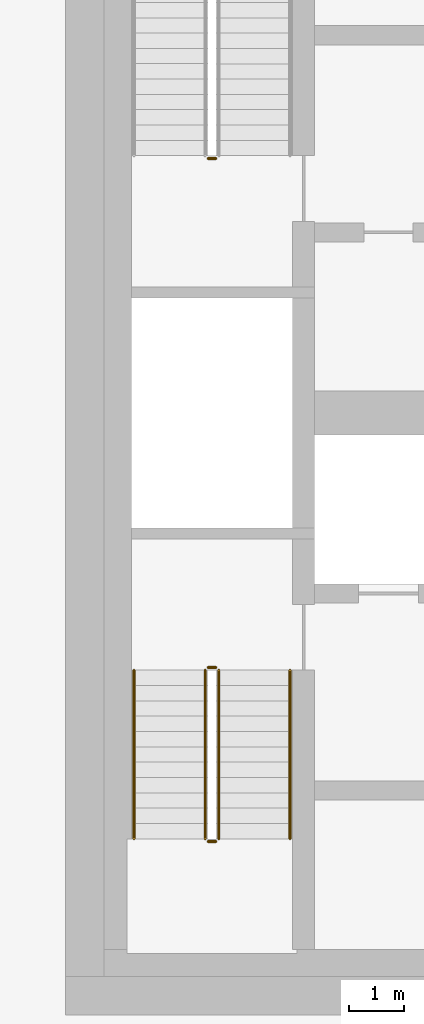
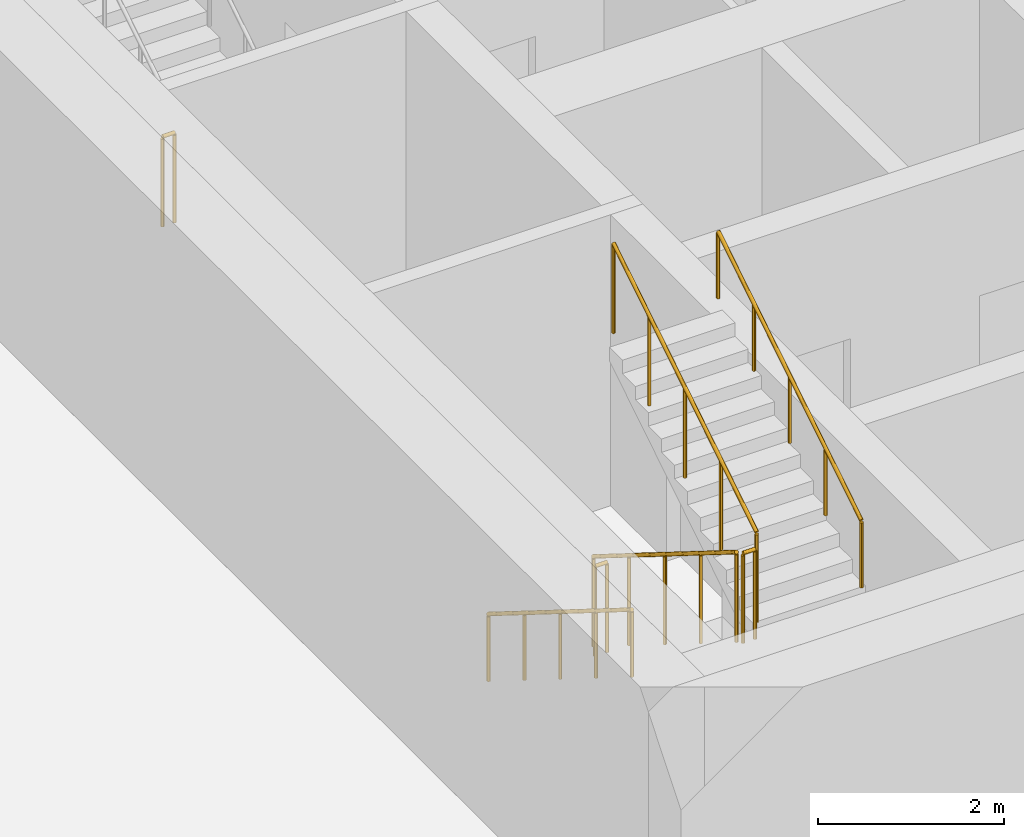
# One storey, part 16 of 21: 7 railings.
"""IFC4 building model written with IfcOpenShell, lengths in metres."""

from ifc_helpers import new_model, si_unit, direction, frame, origin, origin_2d, place, context, subcontext, project, spatial, circle, extrude, material, type_object, element, save


model = new_model("IFC4")

# Units and contexts
model_context = context("Model", 3, precision=1e-05, world=origin(), true_north=direction((0.0, 1.0)))
body_context = subcontext(model_context, "Body", "Model", "MODEL_VIEW")
ifc_project = project(units=[si_unit("LENGTHUNIT", "METRE"), si_unit("AREAUNIT", "SQUARE_METRE"), si_unit("VOLUMEUNIT", "CUBIC_METRE"), si_unit("PLANEANGLEUNIT", "RADIAN"), si_unit("MASSUNIT", "GRAM", prefix="KILO")], contexts=[model_context])

# Site, building, storey
site_placement = place(None, origin())
site = spatial("IfcSite", under=ifc_project, at=site_placement, CompositionType="ELEMENT")
building_placement = place(site_placement, origin())
building = spatial("IfcBuilding", under=site, at=building_placement, Name="Dongbaek Canopy Tower", CompositionType="ELEMENT")
storey_placement = place(building_placement, frame((0.0, 0.0, 270.60009765625)))
storey = spatial("IfcBuildingStorey", under=building, at=storey_placement, Name="L57", CompositionType="ELEMENT", Elevation=270.60009765625)

# Railings
ifc_material_1 = material(Name="Stainless steel tube and balusters", Category="steel")
railing_type_1 = type_object("IfcRailingType", Name="Stair guard 1200", PredefinedType="GUARDRAIL", material=ifc_material_1)
railing_1_placement = place(storey_placement, frame((-11.25, 4.64990234375, 0.0)))
element("IfcRailing", 1, at=railing_1_placement, inside=storey, type_object=railing_type_1, Name="L57 ST-C stair guard 4", PredefinedType="GUARDRAIL", context=body_context, shape_type="SweptSolid", body=[
    extrude(circle(Radius=0.02392578125, at=origin_2d()), frame((0.0, 0.0, 1.17578125), z_axis=(-1.0, 0.0, 0.0), x_axis=(0.0, -1.0, 0.0)), (0.0, 0.0, 1.0), 0.14990234375),
    extrude(circle(Radius=0.02099609375, at=origin_2d()), origin(), (0.0, 0.0, 1.0), 1.15185546875),
    extrude(circle(Radius=0.02099609375, at=origin_2d()), frame((-0.14990234375, 0.0, 0.0)), (0.0, 0.0, 1.0), 1.15185546875),
])
railing_2_placement = place(storey_placement, frame((-11.449951171875, -4.699951171875, 0.1748046875)))
element("IfcRailing", 2, at=railing_2_placement, inside=storey, type_object=railing_type_1, Name="L57 ST-D stair guard 1", PredefinedType="GUARDRAIL", context=body_context, shape_type="SweptSolid", body=[
    extrude(circle(Radius=0.02392578125, at=origin_2d()), frame((0.0, 0.0, 1.17578125), z_axis=(0.0, -0.847998304005, 0.529998940003), x_axis=(1.0, 0.0, 0.0)), (0.0, 0.0, 1.0), 3.632080078125),
    extrude(circle(Radius=0.02099609375, at=origin_2d()), origin(), (0.0, 0.0, 1.0), 1.15185546875),
    extrude(circle(Radius=0.02099609375, at=origin_2d()), frame((0.0, -0.77001953125, 0.481201171875)), (0.0, 0.0, 1.0), 1.15185546875),
    extrude(circle(Radius=0.02099609375, at=origin_2d()), frame((0.0, -1.5400390625, 0.96240234375)), (0.0, 0.0, 1.0), 1.15185546875),
    extrude(circle(Radius=0.02099609375, at=origin_2d()), frame((0.0, -2.31005859375, 1.44384765625)), (0.0, 0.0, 1.0), 1.15185546875),
    extrude(circle(Radius=0.02099609375, at=origin_2d()), frame((0.0, -3.080078125, 1.925048828125)), (0.0, 0.0, 1.0), 1.15185546875),
])
railing_3_placement = place(storey_placement, frame((-11.39990234375, -7.830078125, 2.099853515625)))
element("IfcRailing", 3, at=railing_3_placement, inside=storey, type_object=railing_type_1, Name="L57 ST-D stair guard 2", PredefinedType="GUARDRAIL", context=body_context, shape_type="SweptSolid", body=[
    extrude(circle(Radius=0.02392578125, at=origin_2d()), frame((0.0, 0.0, 1.17578125), z_axis=(1.0, 0.0, 0.0), x_axis=(0.0, 1.0, 0.0)), (0.0, 0.0, 1.0), 0.14990234375),
    extrude(circle(Radius=0.02099609375, at=origin_2d()), origin(), (0.0, 0.0, 1.0), 1.15185546875),
    extrude(circle(Radius=0.02099609375, at=origin_2d()), frame((0.14990234375, 0.0, 0.0)), (0.0, 0.0, 1.0), 1.15185546875),
])
railing_4_placement = place(storey_placement, frame((-11.199951171875, -7.780029296875, 2.27490234375)))
element("IfcRailing", 4, at=railing_4_placement, inside=storey, type_object=railing_type_1, Name="L57 ST-D stair guard 3", PredefinedType="GUARDRAIL", context=body_context, shape_type="SweptSolid", body=[
    extrude(circle(Radius=0.02392578125, at=origin_2d()), frame((0.0, 0.0, 1.17578125), z_axis=(0.0, 0.847998304005, 0.529998940003), x_axis=(-1.0, 0.0, 0.0)), (0.0, 0.0, 1.0), 3.632080078125),
    extrude(circle(Radius=0.02099609375, at=origin_2d()), origin(), (0.0, 0.0, 1.0), 1.15185546875),
    extrude(circle(Radius=0.02099609375, at=origin_2d()), frame((0.0, 0.77001953125, 0.481201171875)), (0.0, 0.0, 1.0), 1.15185546875),
    extrude(circle(Radius=0.02099609375, at=origin_2d()), frame((0.0, 1.5400390625, 0.96240234375)), (0.0, 0.0, 1.0), 1.15185546875),
    extrude(circle(Radius=0.02099609375, at=origin_2d()), frame((0.0, 2.31005859375, 1.44384765625)), (0.0, 0.0, 1.0), 1.15185546875),
    extrude(circle(Radius=0.02099609375, at=origin_2d()), frame((0.0, 3.080078125, 1.925048828125)), (0.0, 0.0, 1.0), 1.15185546875),
])
railing_5_placement = place(storey_placement, frame((-11.39990234375, -4.64990234375, 0.0)))
element("IfcRailing", 5, at=railing_5_placement, inside=storey, type_object=railing_type_1, Name="L57 ST-D stair guard 4", PredefinedType="GUARDRAIL", context=body_context, shape_type="SweptSolid", body=[
    extrude(circle(Radius=0.02392578125, at=origin_2d()), frame((0.0, 0.0, 1.17578125), z_axis=(1.0, 0.0, 0.0), x_axis=(0.0, 1.0, 0.0)), (0.0, 0.0, 1.0), 0.14990234375),
    extrude(circle(Radius=0.02099609375, at=origin_2d()), origin(), (0.0, 0.0, 1.0), 1.15185546875),
    extrude(circle(Radius=0.02099609375, at=origin_2d()), frame((0.14990234375, 0.0, 0.0)), (0.0, 0.0, 1.0), 1.15185546875),
])
ifc_material_2 = material(Name="Stainless steel tube", Category="steel")
railing_type_2 = type_object("IfcRailingType", Name="Stair handrail 900", PredefinedType="HANDRAIL", material=ifc_material_2)
railing_6_placement = place(storey_placement, frame((-12.75, -4.699951171875, 0.1748046875)))
element("IfcRailing", 6, at=railing_6_placement, inside=storey, type_object=railing_type_2, Name="L57 ST-D stair handrail 1", PredefinedType="HANDRAIL", context=body_context, shape_type="SweptSolid", body=[
    extrude(circle(Radius=0.02392578125, at=origin_2d()), frame((0.0, 0.0, 0.8759765625), z_axis=(0.0, -0.847998304005, 0.529998940003), x_axis=(1.0, 0.0, 0.0)), (0.0, 0.0, 1.0), 3.632080078125),
    extrude(circle(Radius=0.02099609375, at=origin_2d()), origin(), (0.0, 0.0, 1.0), 0.851806640625),
    extrude(circle(Radius=0.02099609375, at=origin_2d()), frame((0.0, -0.77001953125, 0.481201171875)), (0.0, 0.0, 1.0), 0.851806640625),
    extrude(circle(Radius=0.02099609375, at=origin_2d()), frame((0.0, -1.5400390625, 0.96240234375)), (0.0, 0.0, 1.0), 0.851806640625),
    extrude(circle(Radius=0.02099609375, at=origin_2d()), frame((0.0, -2.31005859375, 1.44384765625)), (0.0, 0.0, 1.0), 0.851806640625),
    extrude(circle(Radius=0.02099609375, at=origin_2d()), frame((0.0, -3.080078125, 1.925048828125)), (0.0, 0.0, 1.0), 0.851806640625),
])
railing_7_placement = place(storey_placement, frame((-9.89990234375, -7.780029296875, 2.27490234375)))
element("IfcRailing", 7, at=railing_7_placement, inside=storey, type_object=railing_type_2, Name="L57 ST-D stair handrail 2", PredefinedType="HANDRAIL", context=body_context, shape_type="SweptSolid", body=[
    extrude(circle(Radius=0.02392578125, at=origin_2d()), frame((0.0, 0.0, 0.8759765625), z_axis=(0.0, 0.847998304005, 0.529998940003), x_axis=(-1.0, 0.0, 0.0)), (0.0, 0.0, 1.0), 3.632080078125),
    extrude(circle(Radius=0.02099609375, at=origin_2d()), origin(), (0.0, 0.0, 1.0), 0.851806640625),
    extrude(circle(Radius=0.02099609375, at=origin_2d()), frame((0.0, 0.77001953125, 0.481201171875)), (0.0, 0.0, 1.0), 0.851806640625),
    extrude(circle(Radius=0.02099609375, at=origin_2d()), frame((0.0, 1.5400390625, 0.96240234375)), (0.0, 0.0, 1.0), 0.851806640625),
    extrude(circle(Radius=0.02099609375, at=origin_2d()), frame((0.0, 2.31005859375, 1.44384765625)), (0.0, 0.0, 1.0), 0.851806640625),
    extrude(circle(Radius=0.02099609375, at=origin_2d()), frame((0.0, 3.080078125, 1.925048828125)), (0.0, 0.0, 1.0), 0.851806640625),
])

save(model, "model.ifc")
